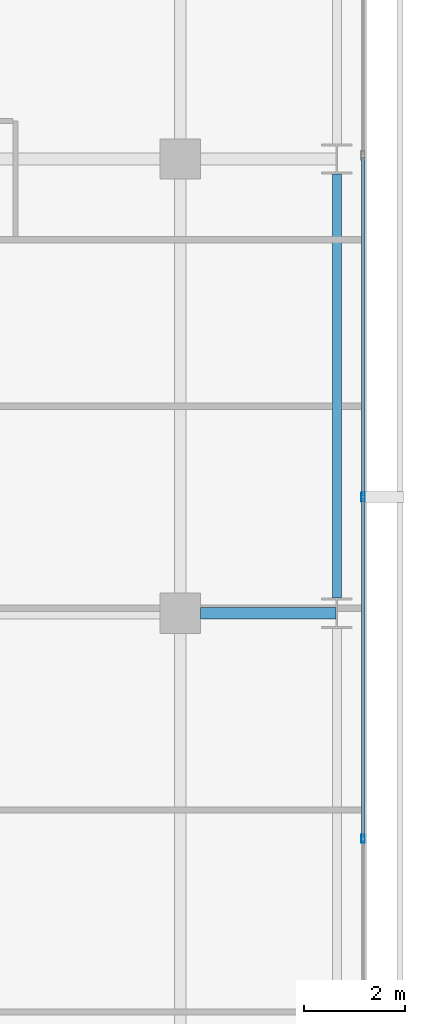
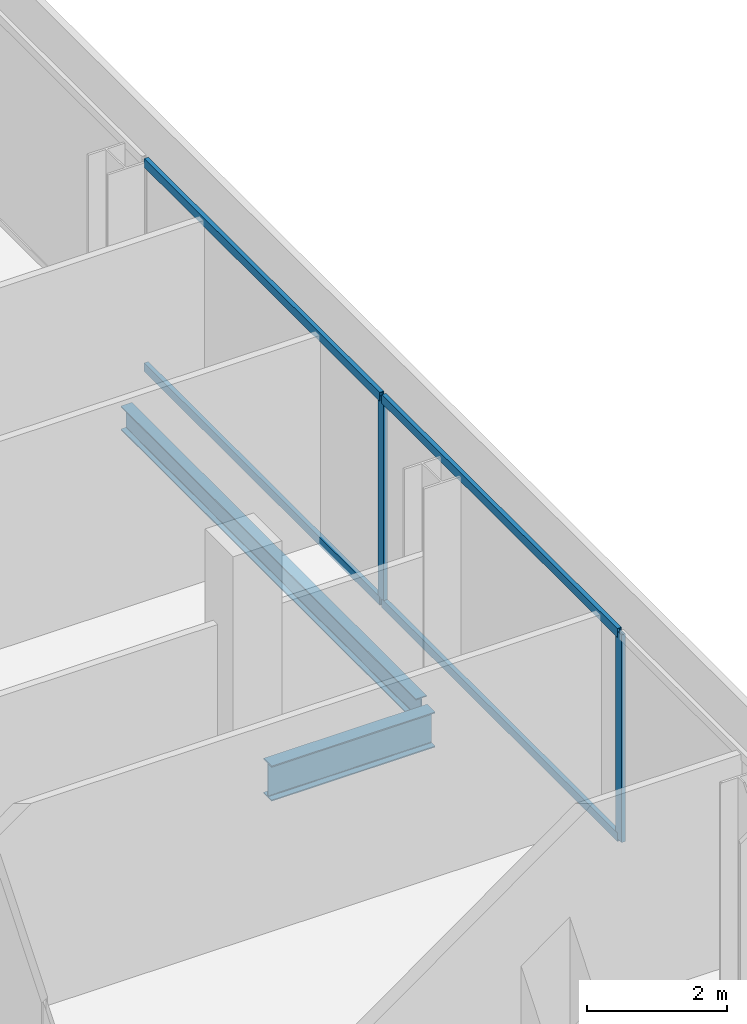
# One storey, part 17 of 34: 6 members, 2 beams, 1 element without a shape of its own.
"""IFC4 building model written with IfcOpenShell, lengths in metres."""

from ifc_helpers import new_model, si_unit, direction, frame, origin, origin_2d, place, context, subcontext, project, spatial, hollow_rectangle, i_section, extrude, material, layer, layer_set, material_profile, profile_set, type_object, element, aggregate, save


model = new_model("IFC4")

# Units and contexts
model_context = context("Model", 3, precision=1e-05, world=origin(), true_north=direction((0.0, 1.0)))
body_context = subcontext(model_context, "Body", "Model", "MODEL_VIEW")
ifc_project = project(units=[si_unit("LENGTHUNIT", "METRE"), si_unit("AREAUNIT", "SQUARE_METRE"), si_unit("VOLUMEUNIT", "CUBIC_METRE"), si_unit("PLANEANGLEUNIT", "RADIAN"), si_unit("MASSUNIT", "GRAM", prefix="KILO")], contexts=[model_context])

# Site, building, storey
site_placement = place(None, origin())
site = spatial("IfcSite", under=ifc_project, at=site_placement, CompositionType="ELEMENT")
building_placement = place(site_placement, origin())
building = spatial("IfcBuilding", under=site, at=building_placement, Name="Maruvema Waterfront Hotel and Observation Tower", CompositionType="ELEMENT")
storey_placement = place(building_placement, frame((0.0, 0.0, 135.10009765625)))
storey = spatial("IfcBuildingStorey", under=building, at=storey_placement, Name="L32", CompositionType="ELEMENT", Elevation=135.10009765625)

# Curtain wall, members
ifc_material_1 = material(Name="Anodised bronze aluminium and solar-control low-E IGU", Category="aluminium")
ifc_layer = layer(ifc_material_1, 0.159912109375, Name="Zone 2 Amber Inner Thermal Curtain Wall System CW-03")
ifc_layer_set = layer_set([ifc_layer], Name="Anodised bronze aluminium and solar-control low-E IGU")
curtain_wall_type = type_object("IfcCurtainWallType", Name="Zone 2 Amber Inner Thermal Curtain Wall System CW-03", PredefinedType="USERDEFINED", material=ifc_layer_set)
curtain_wall_placement = place(storey_placement, origin())
curtain_wall = element("IfcCurtainWall", 1, at=curtain_wall_placement, inside=storey, type_object=curtain_wall_type, Name="L32 Curtain Wall CW-L32-E", ObjectType="UNITISED CURTAIN WALL", PredefinedType="USERDEFINED")
ifc_material_2 = material(Name="Anodised architectural bronze aluminium", Category="aluminium")
ifc_material_profile_1 = material_profile(ifc_material_2, hollow_rectangle(XDim=0.070068359375, YDim=0.14990234375, WallThickness=0.00390625, at=origin_2d()), Name="ALU-T70x150")
ifc_profile_set_1 = profile_set([ifc_material_profile_1], Name="Anodised architectural bronze aluminium")
member_type_1 = type_object("IfcMemberType", Name="Curtain Wall Horizontal Transom ALU-T70x150", PredefinedType="USERDEFINED", material=ifc_profile_set_1)
member_1_placement = place(storey_placement, frame((62.419921875, 22.563232421875, 0.02978515625), z_axis=(0.0, 1.0, 0.0), x_axis=(-1.0, 0.0, 0.0)))
member_1 = element("IfcMember", 2, at=member_1_placement, type_object=member_type_1, Name="CW-03 transom 3.1", ObjectType="TRANSOM", PredefinedType="USERDEFINED", context=body_context, shape_type="SweptSolid", body=[
    extrude(hollow_rectangle(XDim=0.070068359375, YDim=0.14990234375, WallThickness=0.00390625, at=origin_2d()), origin(), (0.0, 0.0, 1.0), 6.706787109375),
])
member_2_placement = place(storey_placement, frame((62.419921875, 22.563232421875, 3.579833984375), z_axis=(0.0, 1.0, 0.0), x_axis=(-1.0, 0.0, 0.0)))
member_2 = element("IfcMember", 3, at=member_2_placement, type_object=member_type_1, Name="CW-03 transom 3.2", ObjectType="TRANSOM", PredefinedType="USERDEFINED", context=body_context, shape_type="SweptSolid", body=[
    extrude(hollow_rectangle(XDim=0.070068359375, YDim=0.14990234375, WallThickness=0.00390625, at=origin_2d()), origin(), (0.0, 0.0, 1.0), 6.706787109375),
])
member_3_placement = place(storey_placement, frame((62.419921875, 29.330078125, 0.02978515625), z_axis=(0.0, 1.0, 0.0), x_axis=(-1.0, 0.0, 0.0)))
member_3 = element("IfcMember", 4, at=member_3_placement, type_object=member_type_1, Name="CW-03 transom 4.1", ObjectType="TRANSOM", PredefinedType="USERDEFINED", context=body_context, shape_type="SweptSolid", body=[
    extrude(hollow_rectangle(XDim=0.070068359375, YDim=0.14990234375, WallThickness=0.00390625, at=origin_2d()), origin(), (0.0, 0.0, 1.0), 6.70654296875),
])
member_4_placement = place(storey_placement, frame((62.419921875, 29.330078125, 3.579833984375), z_axis=(0.0, 1.0, 0.0), x_axis=(-1.0, 0.0, 0.0)))
member_4 = element("IfcMember", 5, at=member_4_placement, type_object=member_type_1, Name="CW-03 transom 4.2", ObjectType="TRANSOM", PredefinedType="USERDEFINED", context=body_context, shape_type="SweptSolid", body=[
    extrude(hollow_rectangle(XDim=0.070068359375, YDim=0.14990234375, WallThickness=0.00390625, at=origin_2d()), origin(), (0.0, 0.0, 1.0), 6.70654296875),
])
ifc_material_3 = material(Name="Anodised architectural bronze aluminium", Category="aluminium")
ifc_material_profile_2 = material_profile(ifc_material_3, hollow_rectangle(XDim=0.06494140625, YDim=0.1650390625, WallThickness=0.00390625, at=origin_2d()), Name="ALU-M65x165")
ifc_profile_set_2 = profile_set([ifc_material_profile_2], Name="Anodised architectural bronze aluminium")
member_type_2 = type_object("IfcMemberType", Name="Curtain Wall Primary Mullion ALU-M65x165", PredefinedType="MULLION", material=ifc_profile_set_2)
member_5_placement = place(storey_placement, frame((62.419921875, 22.533447265625, 0.0), z_axis=(0.0, 0.0, 1.0), x_axis=(-1.0, 0.0, 0.0)))
member_5 = element("IfcMember", 6, at=member_5_placement, type_object=member_type_2, Name="CW-03 mullion 3", PredefinedType="MULLION", context=body_context, shape_type="SweptSolid", body=[
    extrude(hollow_rectangle(XDim=0.06494140625, YDim=0.1650390625, WallThickness=0.00390625, at=origin_2d()), origin(), (0.0, 0.0, 1.0), 3.60986328125),
])
member_6_placement = place(storey_placement, frame((62.419921875, 29.300048828125, 0.0), z_axis=(0.0, 0.0, 1.0), x_axis=(-1.0, 0.0, 0.0)))
member_6 = element("IfcMember", 7, at=member_6_placement, type_object=member_type_2, Name="CW-03 mullion 4", PredefinedType="MULLION", context=body_context, shape_type="SweptSolid", body=[
    extrude(hollow_rectangle(XDim=0.06494140625, YDim=0.1650390625, WallThickness=0.00390625, at=origin_2d()), origin(), (0.0, 0.0, 1.0), 3.60986328125),
])
aggregate(curtain_wall, [member_5, member_6, member_1, member_2, member_3, member_4])

# Beams
ifc_material_4 = material(Name="Steel ASTM A572 Grade 50", Category="steel")
ifc_material_profile_3 = material_profile(ifc_material_4, i_section(OverallWidth=0.180908203125, OverallDepth=0.4169921875, WebThickness=0.010986328125, FlangeThickness=0.018310546875, FilletRadius=0.014892578125, at=origin_2d()), Name="W410x85.0")
ifc_profile_set_3 = profile_set([ifc_material_profile_3], Name="Steel ASTM A572 Grade 50")
beam_type_1 = type_object("IfcBeamType", Name="Perimeter Spandrel Beam W410x85.0", PredefinedType="SPANDREL", material=ifc_profile_set_3)
beam_1_placement = place(storey_placement, frame((61.89990234375, 27.300048828125, -0.448486328125), z_axis=(0.0, 1.0, 0.0), x_axis=(-1.0, 0.0, 0.0)))
element("IfcBeam", 8, at=beam_1_placement, inside=storey, type_object=beam_type_1, Name="L32 Floor Girder NS-31", PredefinedType="SPANDREL", context=body_context, shape_type="SweptSolid", body=[
    extrude(i_section(OverallWidth=0.180908203125, OverallDepth=0.4169921875, WebThickness=0.010986328125, FlangeThickness=0.018310546875, FilletRadius=0.014892578125, at=origin_2d()), origin(), (0.0, 0.0, 1.0), 8.39990234375),
])
ifc_material_5 = material(Name="Steel ASTM A572 Grade 50", Category="steel")
ifc_material_profile_4 = material_profile(ifc_material_5, i_section(OverallWidth=0.22900390625, OverallDepth=0.612060546875, WebThickness=0.011962890625, FlangeThickness=0.01953125, FilletRadius=0.01806640625, at=origin_2d()), Name="W610x125.0")
ifc_profile_set_4 = profile_set([ifc_material_profile_4], Name="Steel ASTM A572 Grade 50")
beam_type_2 = type_object("IfcBeamType", Name="Primary Floor Girder W610x125.0", PredefinedType="BEAM", material=ifc_profile_set_4)
beam_2_placement = place(storey_placement, frame((59.199951171875, 27.0, -0.546142578125), z_axis=(1.0, 0.0, 0.0), x_axis=(0.0, 1.0, 0.0)))
element("IfcBeam", 9, at=beam_2_placement, inside=storey, type_object=beam_type_2, Name="L32 Floor Girder EW-22", PredefinedType="BEAM", context=body_context, shape_type="SweptSolid", body=[
    extrude(i_section(OverallWidth=0.22900390625, OverallDepth=0.612060546875, WebThickness=0.011962890625, FlangeThickness=0.01953125, FilletRadius=0.01806640625, at=origin_2d()), origin(), (0.0, 0.0, 1.0), 2.6875),
])

save(model, "model.ifc")
